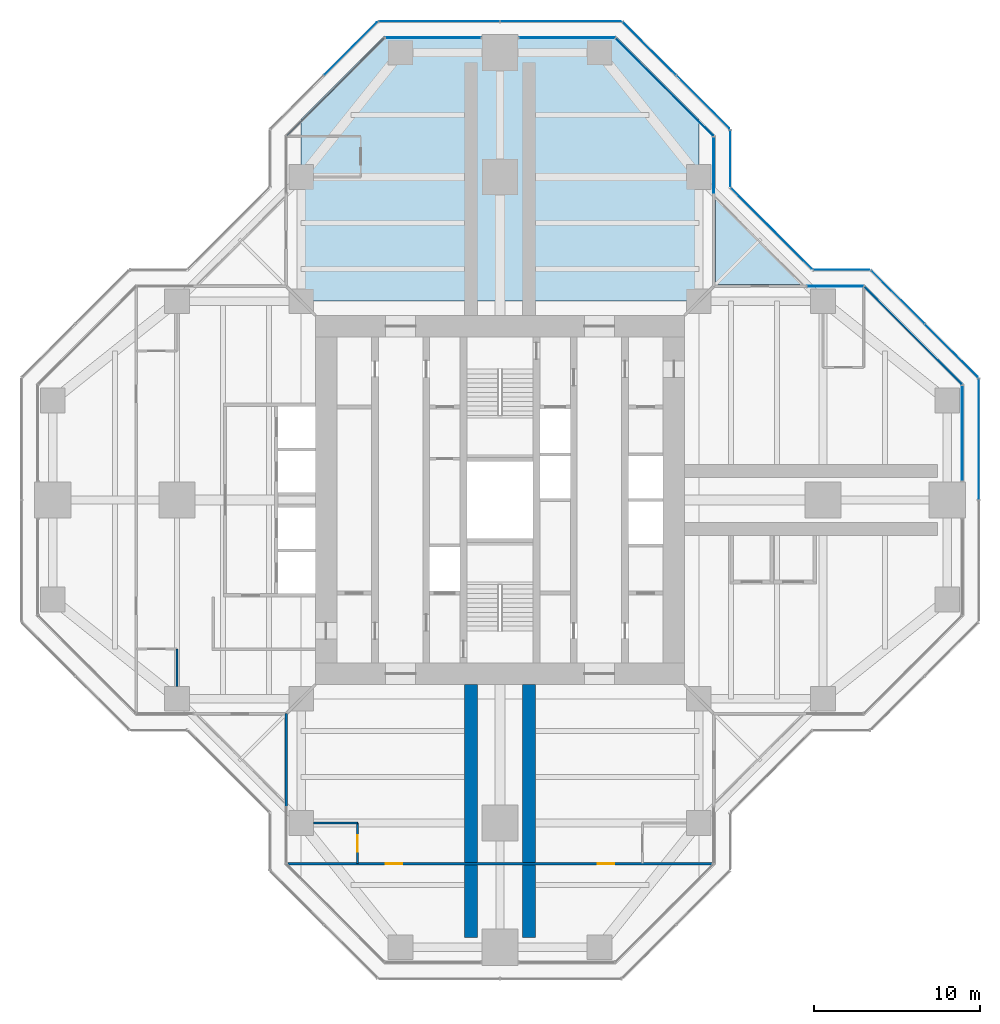
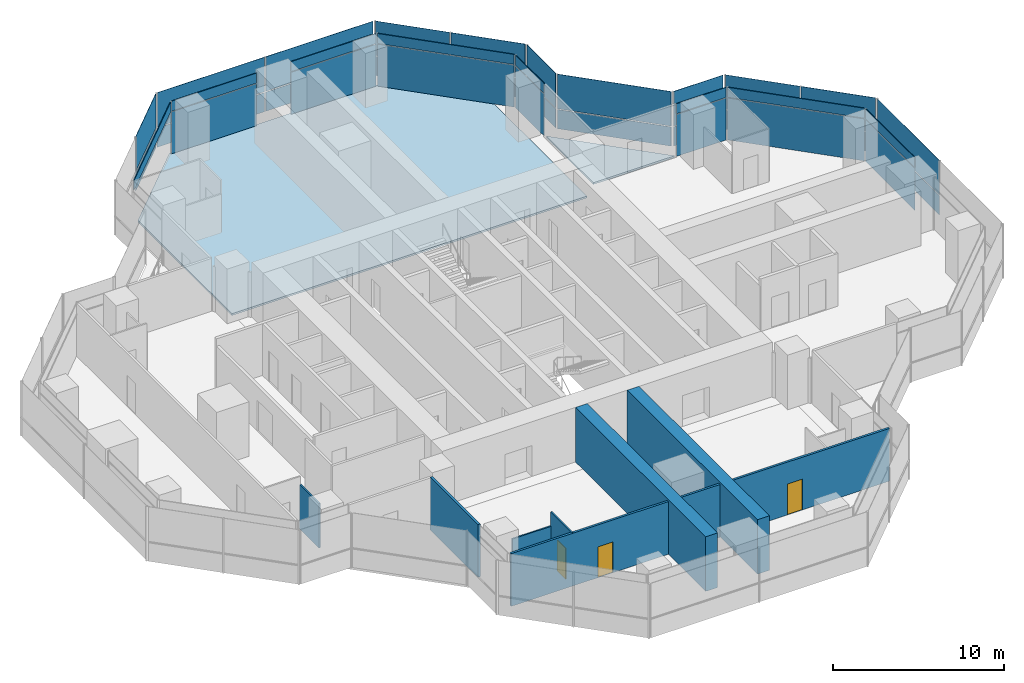
# One storey, part 12 of 17: 37 plates, 7 walls, 3 doors, 2 slabs, 3 openings, 16 elements without a shape of their own.
"""IFC4 building model written with IfcOpenShell, lengths in metres."""

from ifc_helpers import new_model, si_unit, direction, frame, frame_2d, origin, origin_2d, place, context, subcontext, project, spatial, polyline, rectangle, outline, extrude, material, layer, layer_set, type_object, element, fill, aggregate, save


model = new_model("IFC4")

# Units and contexts
model_context = context("Model", 3, precision=1e-05, world=origin(), true_north=direction((0.0, 1.0)))
body_context = subcontext(model_context, "Body", "Model", "MODEL_VIEW")
ifc_project = project(units=[si_unit("LENGTHUNIT", "METRE"), si_unit("AREAUNIT", "SQUARE_METRE"), si_unit("VOLUMEUNIT", "CUBIC_METRE"), si_unit("PLANEANGLEUNIT", "RADIAN"), si_unit("MASSUNIT", "GRAM", prefix="KILO")], contexts=[model_context])

# Site, building, storey
site_placement = place(None, origin())
site = spatial("IfcSite", under=ifc_project, at=site_placement, CompositionType="ELEMENT")
building_placement = place(site_placement, origin())
building = spatial("IfcBuilding", under=site, at=building_placement, Name="Mizan Broadcast Tower", CompositionType="ELEMENT")
storey_placement = place(building_placement, frame((0.0, 0.0, 240.0)))
storey = spatial("IfcBuildingStorey", under=building, at=storey_placement, Name="L56", CompositionType="ELEMENT", Elevation=240.0)

# Slab
ifc_material_1 = material(Name="Concrete C32/40", Category="concrete")
ifc_layer_1 = layer(ifc_material_1, 0.1298828125)
ifc_layer_set_1 = layer_set([ifc_layer_1], Name="Concrete C32/40")
slab_type_1 = type_object("IfcSlabType", Name="COMPOSITE DECK SLAB 130", PredefinedType="FLOOR", material=ifc_layer_set_1)
slab_1_placement = place(storey_placement, frame((0.0, 0.0, -0.1298828125)))
element("IfcSlab", 1, at=slab_1_placement, inside=storey, type_object=slab_type_1, Name="Floor slab L56 north arm", PredefinedType="FLOOR", context=body_context, shape_type="SweptSolid", body=[
    extrude(outline(polyline([(-7.0, 28.0), (-12.0, 23.0), (-12.0, 12.0), (12.0, 12.0), (12.0, 23.0), (7.0, 28.0), (-7.0, 28.0)])), origin(), (0.0, 0.0, 1.0), 0.1298828125),
])

# Curtain wall, plate
ifc_material_2 = material(Name="Aluminium framed glazing", Category="aluminium")
curtain_wall_type_1 = type_object("IfcCurtainWallType", Name="INNER SKIN HIGH ZONE", PredefinedType="USERDEFINED", material=ifc_material_2)
curtain_wall_1_placement = place(storey_placement, origin())
curtain_wall_1 = element("IfcCurtainWall", 2, at=curtain_wall_1_placement, inside=storey, type_object=curtain_wall_type_1, Name="Inner skin high zone L56 E end", ObjectType="INNER SKIN HIGH ZONE", PredefinedType="USERDEFINED")
ifc_material_3 = material(Name="Double glazing, clear low-e", Category="glass")
ifc_layer_2 = layer(ifc_material_3, 0.028076171875)
ifc_layer_set_2 = layer_set([ifc_layer_2], Name="Double glazing, clear low-e")
plate_type_1 = type_object("IfcPlateType", Name="INNER SKIN GLAZING UNIT", PredefinedType="CURTAIN_PANEL", material=ifc_layer_set_2)
plate_1_placement = place(storey_placement, frame((27.89990234375, 4.029296875, 0.0), z_axis=(0.0, 0.0, 1.0), x_axis=(0.0, 1.0, 0.0)))
plate_1 = element("IfcPlate", 3, at=plate_1_placement, type_object=plate_type_1, Name="Inner skin high zone L56 E end panel 1.1", PredefinedType="CURTAIN_PANEL", context=body_context, shape_type="SweptSolid", body=[
    extrude(rectangle(XDim=5.738525390625, YDim=0.028076171875, at=origin_2d()), origin(), (0.0, 0.0, 1.0), 3.0),
])

curtain_wall_2_placement = place(storey_placement, origin())
curtain_wall_2 = element("IfcCurtainWall", 4, at=curtain_wall_2_placement, inside=storey, type_object=curtain_wall_type_1, Name="Inner skin high zone L56 E chamfer", ObjectType="INNER SKIN HIGH ZONE", PredefinedType="USERDEFINED")
plate_2_placement = place(storey_placement, frame((24.92919921875, 9.92919921875, 0.0), z_axis=(0.0, 0.0, 1.0), x_axis=(-0.707106781187, 0.707106781187, 0.0)))
plate_2 = element("IfcPlate", 5, at=plate_2_placement, type_object=plate_type_1, Name="Inner skin high zone L56 E chamfer panel 1.1", PredefinedType="CURTAIN_PANEL", context=body_context, shape_type="SweptSolid", body=[
    extrude(rectangle(XDim=8.282470703125, YDim=0.028076171875, at=origin_2d()), origin(), (0.0, 0.0, 1.0), 3.0),
])

curtain_wall_3_placement = place(storey_placement, origin())
curtain_wall_3 = element("IfcCurtainWall", 6, at=curtain_wall_3_placement, inside=storey, type_object=curtain_wall_type_1, Name="Inner skin high zone L56 E side", ObjectType="INNER SKIN HIGH ZONE", PredefinedType="USERDEFINED")
plate_3_placement = place(storey_placement, frame((20.229248046875, 12.89990234375, 0.0), z_axis=(0.0, 0.0, 1.0), x_axis=(-1.0, 0.0, 0.0)))
plate_3 = element("IfcPlate", 7, at=plate_3_placement, type_object=plate_type_1, Name="Inner skin high zone L56 E side panel 1.1", PredefinedType="CURTAIN_PANEL", context=body_context, shape_type="SweptSolid", body=[
    extrude(rectangle(XDim=3.338623046875, YDim=0.028076171875, at=origin_2d()), origin(), (0.0, 0.0, 1.0), 3.0),
])

curtain_wall_4_placement = place(storey_placement, origin())
curtain_wall_4 = element("IfcCurtainWall", 8, at=curtain_wall_4_placement, inside=storey, type_object=curtain_wall_type_1, Name="Inner skin high zone L56 N side", ObjectType="INNER SKIN HIGH ZONE", PredefinedType="USERDEFINED")
plate_4_placement = place(storey_placement, frame((12.89990234375, 20.229248046875, 0.0), z_axis=(0.0, 0.0, 1.0), x_axis=(0.0, 1.0, 0.0)))
plate_4 = element("IfcPlate", 9, at=plate_4_placement, type_object=plate_type_1, Name="Inner skin high zone L56 N side panel 1.1", PredefinedType="CURTAIN_PANEL", context=body_context, shape_type="SweptSolid", body=[
    extrude(rectangle(XDim=3.338623046875, YDim=0.028076171875, at=origin_2d()), origin(), (0.0, 0.0, 1.0), 3.0),
])

curtain_wall_5_placement = place(storey_placement, origin())
curtain_wall_5 = element("IfcCurtainWall", 10, at=curtain_wall_5_placement, inside=storey, type_object=curtain_wall_type_1, Name="Inner skin high zone L56 N chamfer", ObjectType="INNER SKIN HIGH ZONE", PredefinedType="USERDEFINED")
plate_5_placement = place(storey_placement, frame((9.92919921875, 24.92919921875, 0.0), z_axis=(0.0, 0.0, 1.0), x_axis=(-0.707106781187, 0.707106781187, 0.0)))
plate_5 = element("IfcPlate", 11, at=plate_5_placement, type_object=plate_type_1, Name="Inner skin high zone L56 N chamfer panel 1.1", PredefinedType="CURTAIN_PANEL", context=body_context, shape_type="SweptSolid", body=[
    extrude(rectangle(XDim=8.282470703125, YDim=0.028076171875, at=origin_2d()), origin(), (0.0, 0.0, 1.0), 3.0),
])

curtain_wall_6_placement = place(storey_placement, origin())
curtain_wall_6 = element("IfcCurtainWall", 12, at=curtain_wall_6_placement, inside=storey, type_object=curtain_wall_type_1, Name="Inner skin high zone L56 N end", ObjectType="INNER SKIN HIGH ZONE", PredefinedType="USERDEFINED")
plate_6_placement = place(storey_placement, frame((4.029296875, 27.89990234375, 0.0), z_axis=(0.0, 0.0, 1.0), x_axis=(-1.0, 0.0, 0.0)))
plate_6 = element("IfcPlate", 13, at=plate_6_placement, type_object=plate_type_1, Name="Inner skin high zone L56 N end panel 1.1", PredefinedType="CURTAIN_PANEL", context=body_context, shape_type="SweptSolid", body=[
    extrude(rectangle(XDim=5.738525390625, YDim=0.028076171875, at=origin_2d()), origin(), (0.0, 0.0, 1.0), 3.0),
])

curtain_wall_7_placement = place(storey_placement, origin())
curtain_wall_7 = element("IfcCurtainWall", 14, at=curtain_wall_7_placement, inside=storey, type_object=curtain_wall_type_1, Name="Inner skin high zone L56 N end", ObjectType="INNER SKIN HIGH ZONE", PredefinedType="USERDEFINED")
plate_7_placement = place(storey_placement, frame((-4.029296875, 27.89990234375, 0.0), z_axis=(0.0, 0.0, 1.0), x_axis=(-1.0, 0.0, 0.0)))
plate_7 = element("IfcPlate", 15, at=plate_7_placement, type_object=plate_type_1, Name="Inner skin high zone L56 N end panel 1.1", PredefinedType="CURTAIN_PANEL", context=body_context, shape_type="SweptSolid", body=[
    extrude(rectangle(XDim=5.738525390625, YDim=0.028076171875, at=origin_2d()), origin(), (0.0, 0.0, 1.0), 3.0),
])

# Plate
ifc_material_4 = material(Name="Insulated aluminium spandrel panel, pale anodised", Category="aluminium")
ifc_layer_3 = layer(ifc_material_4, 0.050048828125)
ifc_layer_set_3 = layer_set([ifc_layer_3], Name="Insulated aluminium spandrel panel, pale anodised")
plate_type_2 = type_object("IfcPlateType", Name="INNER SKIN SPANDREL PANEL", PredefinedType="CURTAIN_PANEL", material=ifc_layer_set_3)
plate_8_placement = place(storey_placement, frame((27.89990234375, 4.029296875, 3.06005859375), z_axis=(0.0, 0.0, 1.0), x_axis=(0.0, 1.0, 0.0)))
plate_8 = element("IfcPlate", 16, at=plate_8_placement, type_object=plate_type_2, Name="Inner skin high zone L56 E end panel 1.2", PredefinedType="CURTAIN_PANEL", context=body_context, shape_type="SweptSolid", body=[
    extrude(rectangle(XDim=5.738525390625, YDim=0.050048828125, at=origin_2d()), origin(), (0.0, 0.0, 1.0), 0.7099609375),
])

aggregate(curtain_wall_1, [plate_1, plate_8])

plate_9_placement = place(storey_placement, frame((24.92919921875, 9.92919921875, 3.06005859375), z_axis=(0.0, 0.0, 1.0), x_axis=(-0.707106781187, 0.707106781187, 0.0)))
plate_9 = element("IfcPlate", 17, at=plate_9_placement, type_object=plate_type_2, Name="Inner skin high zone L56 E chamfer panel 1.2", PredefinedType="CURTAIN_PANEL", context=body_context, shape_type="SweptSolid", body=[
    extrude(rectangle(XDim=8.282470703125, YDim=0.050048828125, at=origin_2d()), origin(), (0.0, 0.0, 1.0), 0.7099609375),
])

aggregate(curtain_wall_2, [plate_2, plate_9])

plate_10_placement = place(storey_placement, frame((20.229248046875, 12.89990234375, 3.06005859375), z_axis=(0.0, 0.0, 1.0), x_axis=(-1.0, 0.0, 0.0)))
plate_10 = element("IfcPlate", 18, at=plate_10_placement, type_object=plate_type_2, Name="Inner skin high zone L56 E side panel 1.2", PredefinedType="CURTAIN_PANEL", context=body_context, shape_type="SweptSolid", body=[
    extrude(rectangle(XDim=3.338623046875, YDim=0.050048828125, at=origin_2d()), origin(), (0.0, 0.0, 1.0), 0.7099609375),
])

aggregate(curtain_wall_3, [plate_3, plate_10])

plate_11_placement = place(storey_placement, frame((12.89990234375, 20.229248046875, 3.06005859375), z_axis=(0.0, 0.0, 1.0), x_axis=(0.0, 1.0, 0.0)))
plate_11 = element("IfcPlate", 19, at=plate_11_placement, type_object=plate_type_2, Name="Inner skin high zone L56 N side panel 1.2", PredefinedType="CURTAIN_PANEL", context=body_context, shape_type="SweptSolid", body=[
    extrude(rectangle(XDim=3.338623046875, YDim=0.050048828125, at=origin_2d()), origin(), (0.0, 0.0, 1.0), 0.7099609375),
])

aggregate(curtain_wall_4, [plate_4, plate_11])

plate_12_placement = place(storey_placement, frame((9.92919921875, 24.92919921875, 3.06005859375), z_axis=(0.0, 0.0, 1.0), x_axis=(-0.707106781187, 0.707106781187, 0.0)))
plate_12 = element("IfcPlate", 20, at=plate_12_placement, type_object=plate_type_2, Name="Inner skin high zone L56 N chamfer panel 1.2", PredefinedType="CURTAIN_PANEL", context=body_context, shape_type="SweptSolid", body=[
    extrude(rectangle(XDim=8.282470703125, YDim=0.050048828125, at=origin_2d()), origin(), (0.0, 0.0, 1.0), 0.7099609375),
])

aggregate(curtain_wall_5, [plate_5, plate_12])

plate_13_placement = place(storey_placement, frame((4.029296875, 27.89990234375, 3.06005859375), z_axis=(0.0, 0.0, 1.0), x_axis=(-1.0, 0.0, 0.0)))
plate_13 = element("IfcPlate", 21, at=plate_13_placement, type_object=plate_type_2, Name="Inner skin high zone L56 N end panel 1.2", PredefinedType="CURTAIN_PANEL", context=body_context, shape_type="SweptSolid", body=[
    extrude(rectangle(XDim=5.738525390625, YDim=0.050048828125, at=origin_2d()), origin(), (0.0, 0.0, 1.0), 0.7099609375),
])

aggregate(curtain_wall_6, [plate_6, plate_13])

plate_14_placement = place(storey_placement, frame((-4.029296875, 27.89990234375, 3.06005859375), z_axis=(0.0, 0.0, 1.0), x_axis=(-1.0, 0.0, 0.0)))
plate_14 = element("IfcPlate", 22, at=plate_14_placement, type_object=plate_type_2, Name="Inner skin high zone L56 N end panel 1.2", PredefinedType="CURTAIN_PANEL", context=body_context, shape_type="SweptSolid", body=[
    extrude(rectangle(XDim=5.738525390625, YDim=0.050048828125, at=origin_2d()), origin(), (0.0, 0.0, 1.0), 0.7099609375),
])

aggregate(curtain_wall_7, [plate_7, plate_14])

# Curtain wall, plate
curtain_wall_8_placement = place(storey_placement, origin())
curtain_wall_8 = element("IfcCurtainWall", 23, at=curtain_wall_8_placement, inside=storey, type_object=curtain_wall_type_1, Name="Inner skin high zone L56 N chamfer", ObjectType="INNER SKIN HIGH ZONE", PredefinedType="USERDEFINED")
plate_15_placement = place(storey_placement, frame((-9.92919921875, 24.92919921875, 3.06005859375), z_axis=(0.0, 0.0, 1.0), x_axis=(-0.707106781187, -0.707106781187, 0.0)))
plate_15 = element("IfcPlate", 24, at=plate_15_placement, type_object=plate_type_2, Name="Inner skin high zone L56 N chamfer panel 1.2", PredefinedType="CURTAIN_PANEL", context=body_context, shape_type="SweptSolid", body=[
    extrude(rectangle(XDim=8.282470703125, YDim=0.050048828125, at=origin_2d()), origin(), (0.0, 0.0, 1.0), 0.7099609375),
])
aggregate(curtain_wall_8, [plate_15])

# Curtain wall, plates
ifc_material_5 = material(Name="Aluminium framed glazing", Category="aluminium")
curtain_wall_type_2 = type_object("IfcCurtainWallType", Name="OUTER SKIN", PredefinedType="USERDEFINED", material=ifc_material_5)
curtain_wall_9_placement = place(storey_placement, origin())
curtain_wall_9 = element("IfcCurtainWall", 25, at=curtain_wall_9_placement, inside=storey, type_object=curtain_wall_type_2, Name="Outer skin L56 E chamfer", ObjectType="OUTER SKIN", PredefinedType="USERDEFINED")
ifc_material_6 = material(Name="Laminated clear glass", Category="glass")
ifc_layer_4 = layer(ifc_material_6, 0.02001953125)
ifc_layer_set_4 = layer_set([ifc_layer_4], Name="Laminated clear glass")
plate_type_3 = type_object("IfcPlateType", Name="OUTER SKIN CLEAR GLASS", PredefinedType="CURTAIN_PANEL", material=ifc_layer_set_4)
plate_16_placement = place(storey_placement, frame((27.254150390625, 9.018798828125, 0.0), z_axis=(0.0, 0.0, 1.0), x_axis=(-0.707106781187, 0.707106781187, 0.0)))
plate_16 = element("IfcPlate", 26, at=plate_16_placement, type_object=plate_type_3, Name="Outer skin L56 E chamfer panel 1.1", PredefinedType="CURTAIN_PANEL", context=body_context, shape_type="SweptSolid", body=[
    extrude(rectangle(XDim=4.495361328125, YDim=0.02001953125, at=origin_2d()), origin(), (0.0, 0.0, 1.0), 1.3701171875),
])
plate_17_placement = place(storey_placement, frame((27.254150390625, 9.018798828125, 1.43017578125), z_axis=(0.0, 0.0, 1.0), x_axis=(-0.707106781187, 0.707106781187, 0.0)))
plate_17 = element("IfcPlate", 27, at=plate_17_placement, type_object=plate_type_3, Name="Outer skin L56 E chamfer panel 1.2", PredefinedType="CURTAIN_PANEL", context=body_context, shape_type="SweptSolid", body=[
    extrude(rectangle(XDim=4.495361328125, YDim=0.02001953125, at=origin_2d()), origin(), (0.0, 0.0, 1.0), 2.469970703125),
])

curtain_wall_10_placement = place(storey_placement, origin())
curtain_wall_10 = element("IfcCurtainWall", 28, at=curtain_wall_10_placement, inside=storey, type_object=curtain_wall_type_2, Name="Outer skin L56 E side", ObjectType="OUTER SKIN", PredefinedType="USERDEFINED")
plate_18_placement = place(storey_placement, frame((20.622802734375, 13.89990234375, 0.0), z_axis=(0.0, 0.0, 1.0), x_axis=(-1.0, 0.0, 0.0)))
plate_18 = element("IfcPlate", 29, at=plate_18_placement, type_object=plate_type_3, Name="Outer skin L56 E side panel 1.1", PredefinedType="CURTAIN_PANEL", context=body_context, shape_type="SweptSolid", body=[
    extrude(rectangle(XDim=3.340087890625, YDim=0.02001953125, at=origin_2d()), origin(), (0.0, 0.0, 1.0), 1.3701171875),
])
plate_19_placement = place(storey_placement, frame((20.622802734375, 13.89990234375, 1.43017578125), z_axis=(0.0, 0.0, 1.0), x_axis=(-1.0, 0.0, 0.0)))
plate_19 = element("IfcPlate", 30, at=plate_19_placement, type_object=plate_type_3, Name="Outer skin L56 E side panel 1.2", PredefinedType="CURTAIN_PANEL", context=body_context, shape_type="SweptSolid", body=[
    extrude(rectangle(XDim=3.340087890625, YDim=0.02001953125, at=origin_2d()), origin(), (0.0, 0.0, 1.0), 2.469970703125),
])
aggregate(curtain_wall_10, [plate_18, plate_19])

curtain_wall_11_placement = place(storey_placement, origin())
curtain_wall_11 = element("IfcCurtainWall", 31, at=curtain_wall_11_placement, inside=storey, type_object=curtain_wall_type_2, Name="Outer skin L56 E chamfer", ObjectType="OUTER SKIN", PredefinedType="USERDEFINED")
plate_20_placement = place(storey_placement, frame((16.386474609375, 16.386474609375, 0.0), z_axis=(0.0, 0.0, 1.0), x_axis=(-0.707106781187, 0.707106781187, 0.0)))
plate_20 = element("IfcPlate", 32, at=plate_20_placement, type_object=plate_type_3, Name="Outer skin L56 E chamfer panel 1.1", PredefinedType="CURTAIN_PANEL", context=body_context, shape_type="SweptSolid", body=[
    extrude(rectangle(XDim=6.87255859375, YDim=0.02001953125, at=origin_2d()), origin(), (0.0, 0.0, 1.0), 1.3701171875),
])
plate_21_placement = place(storey_placement, frame((16.386474609375, 16.386474609375, 1.43017578125), z_axis=(0.0, 0.0, 1.0), x_axis=(-0.707106781187, 0.707106781187, 0.0)))
plate_21 = element("IfcPlate", 33, at=plate_21_placement, type_object=plate_type_3, Name="Outer skin L56 E chamfer panel 1.2", PredefinedType="CURTAIN_PANEL", context=body_context, shape_type="SweptSolid", body=[
    extrude(rectangle(XDim=6.87255859375, YDim=0.02001953125, at=origin_2d()), origin(), (0.0, 0.0, 1.0), 2.469970703125),
])
aggregate(curtain_wall_11, [plate_20, plate_21])

curtain_wall_12_placement = place(storey_placement, origin())
curtain_wall_12 = element("IfcCurtainWall", 34, at=curtain_wall_12_placement, inside=storey, type_object=curtain_wall_type_2, Name="Outer skin L56 N side", ObjectType="OUTER SKIN", PredefinedType="USERDEFINED")
plate_22_placement = place(storey_placement, frame((13.89990234375, 20.622802734375, 0.0), z_axis=(0.0, 0.0, 1.0), x_axis=(0.0, 1.0, 0.0)))
plate_22 = element("IfcPlate", 35, at=plate_22_placement, type_object=plate_type_3, Name="Outer skin L56 N side panel 1.1", PredefinedType="CURTAIN_PANEL", context=body_context, shape_type="SweptSolid", body=[
    extrude(rectangle(XDim=3.340087890625, YDim=0.02001953125, at=origin_2d()), origin(), (0.0, 0.0, 1.0), 1.3701171875),
])
plate_23_placement = place(storey_placement, frame((13.89990234375, 20.622802734375, 1.43017578125), z_axis=(0.0, 0.0, 1.0), x_axis=(0.0, 1.0, 0.0)))
plate_23 = element("IfcPlate", 36, at=plate_23_placement, type_object=plate_type_3, Name="Outer skin L56 N side panel 1.2", PredefinedType="CURTAIN_PANEL", context=body_context, shape_type="SweptSolid", body=[
    extrude(rectangle(XDim=3.340087890625, YDim=0.02001953125, at=origin_2d()), origin(), (0.0, 0.0, 1.0), 2.469970703125),
])
aggregate(curtain_wall_12, [plate_22, plate_23])

curtain_wall_13_placement = place(storey_placement, origin())
curtain_wall_13 = element("IfcCurtainWall", 37, at=curtain_wall_13_placement, inside=storey, type_object=curtain_wall_type_2, Name="Outer skin L56 N chamfer", ObjectType="OUTER SKIN", PredefinedType="USERDEFINED")
plate_24_placement = place(storey_placement, frame((12.254150390625, 24.018798828125, 0.0), z_axis=(0.0, 0.0, 1.0), x_axis=(-0.707106781187, 0.707106781187, 0.0)))
plate_24 = element("IfcPlate", 38, at=plate_24_placement, type_object=plate_type_3, Name="Outer skin L56 N chamfer panel 1.1", PredefinedType="CURTAIN_PANEL", context=body_context, shape_type="SweptSolid", body=[
    extrude(rectangle(XDim=4.495361328125, YDim=0.02001953125, at=origin_2d()), origin(), (0.0, 0.0, 1.0), 1.3701171875),
])
plate_25_placement = place(storey_placement, frame((12.254150390625, 24.018798828125, 1.43017578125), z_axis=(0.0, 0.0, 1.0), x_axis=(-0.707106781187, 0.707106781187, 0.0)))
plate_25 = element("IfcPlate", 39, at=plate_25_placement, type_object=plate_type_3, Name="Outer skin L56 N chamfer panel 1.2", PredefinedType="CURTAIN_PANEL", context=body_context, shape_type="SweptSolid", body=[
    extrude(rectangle(XDim=4.495361328125, YDim=0.02001953125, at=origin_2d()), origin(), (0.0, 0.0, 1.0), 2.469970703125),
])

curtain_wall_14_placement = place(storey_placement, origin())
curtain_wall_14 = element("IfcCurtainWall", 40, at=curtain_wall_14_placement, inside=storey, type_object=curtain_wall_type_2, Name="Outer skin L56 N end", ObjectType="OUTER SKIN", PredefinedType="USERDEFINED")
plate_26_placement = place(storey_placement, frame((3.66650390625, 28.89990234375, 0.0), z_axis=(0.0, 0.0, 1.0), x_axis=(-1.0, 0.0, 0.0)))
plate_26 = element("IfcPlate", 41, at=plate_26_placement, type_object=plate_type_3, Name="Outer skin L56 N end panel 1.1", PredefinedType="CURTAIN_PANEL", context=body_context, shape_type="SweptSolid", body=[
    extrude(rectangle(XDim=7.252685546875, YDim=0.02001953125, at=origin_2d()), origin(), (0.0, 0.0, 1.0), 1.3701171875),
])
plate_27_placement = place(storey_placement, frame((3.66650390625, 28.89990234375, 1.43017578125), z_axis=(0.0, 0.0, 1.0), x_axis=(-1.0, 0.0, 0.0)))
plate_27 = element("IfcPlate", 42, at=plate_27_placement, type_object=plate_type_3, Name="Outer skin L56 N end panel 1.2", PredefinedType="CURTAIN_PANEL", context=body_context, shape_type="SweptSolid", body=[
    extrude(rectangle(XDim=7.252685546875, YDim=0.02001953125, at=origin_2d()), origin(), (0.0, 0.0, 1.0), 2.469970703125),
])
plate_28_placement = place(storey_placement, frame((-3.66650390625, 28.89990234375, 0.0), z_axis=(0.0, 0.0, 1.0), x_axis=(-1.0, 0.0, 0.0)))
plate_28 = element("IfcPlate", 43, at=plate_28_placement, type_object=plate_type_3, Name="Outer skin L56 N end panel 2.1", PredefinedType="CURTAIN_PANEL", context=body_context, shape_type="SweptSolid", body=[
    extrude(rectangle(XDim=7.252685546875, YDim=0.02001953125, at=origin_2d()), origin(), (0.0, 0.0, 1.0), 1.3701171875),
])
plate_29_placement = place(storey_placement, frame((-3.66650390625, 28.89990234375, 1.43017578125), z_axis=(0.0, 0.0, 1.0), x_axis=(-1.0, 0.0, 0.0)))
plate_29 = element("IfcPlate", 44, at=plate_29_placement, type_object=plate_type_3, Name="Outer skin L56 N end panel 2.2", PredefinedType="CURTAIN_PANEL", context=body_context, shape_type="SweptSolid", body=[
    extrude(rectangle(XDim=7.252685546875, YDim=0.02001953125, at=origin_2d()), origin(), (0.0, 0.0, 1.0), 2.469970703125),
])
aggregate(curtain_wall_14, [plate_26, plate_27, plate_28, plate_29])

curtain_wall_15_placement = place(storey_placement, origin())
curtain_wall_15 = element("IfcCurtainWall", 45, at=curtain_wall_15_placement, inside=storey, type_object=curtain_wall_type_2, Name="Outer skin L56 N chamfer", ObjectType="OUTER SKIN", PredefinedType="USERDEFINED")
plate_30_placement = place(storey_placement, frame((-9.018798828125, 27.254150390625, 0.0), z_axis=(0.0, 0.0, 1.0), x_axis=(-0.707106781187, -0.707106781187, 0.0)))
plate_30 = element("IfcPlate", 46, at=plate_30_placement, type_object=plate_type_3, Name="Outer skin L56 N chamfer panel 1.1", PredefinedType="CURTAIN_PANEL", context=body_context, shape_type="SweptSolid", body=[
    extrude(rectangle(XDim=4.495361328125, YDim=0.02001953125, at=origin_2d()), origin(), (0.0, 0.0, 1.0), 1.3701171875),
])
plate_31_placement = place(storey_placement, frame((-9.018798828125, 27.254150390625, 1.43017578125), z_axis=(0.0, 0.0, 1.0), x_axis=(-0.707106781187, -0.707106781187, 0.0)))
plate_31 = element("IfcPlate", 47, at=plate_31_placement, type_object=plate_type_3, Name="Outer skin L56 N chamfer panel 1.2", PredefinedType="CURTAIN_PANEL", context=body_context, shape_type="SweptSolid", body=[
    extrude(rectangle(XDim=4.495361328125, YDim=0.02001953125, at=origin_2d()), origin(), (0.0, 0.0, 1.0), 2.469970703125),
])
aggregate(curtain_wall_15, [plate_30, plate_31])

curtain_wall_16_placement = place(storey_placement, origin())
curtain_wall_16 = element("IfcCurtainWall", 48, at=curtain_wall_16_placement, inside=storey, type_object=curtain_wall_type_2, Name="Outer skin L56 E end", ObjectType="OUTER SKIN", PredefinedType="USERDEFINED")
ifc_material_7 = material(Name="Perforated aluminium, pale anodised", Category="aluminium")
ifc_layer_5 = layer(ifc_material_7, 0.011962890625)
ifc_layer_set_5 = layer_set([ifc_layer_5], Name="Perforated aluminium, pale anodised")
plate_type_4 = type_object("IfcPlateType", Name="OUTER SKIN PERFORATED SCREEN", PredefinedType="USERDEFINED", material=ifc_layer_set_5)
plate_32_placement = place(storey_placement, frame((28.89990234375, 3.66650390625, 0.0), z_axis=(0.0, 0.0, 1.0), x_axis=(0.0, 1.0, 0.0)))
plate_32 = element("IfcPlate", 49, at=plate_32_placement, type_object=plate_type_4, Name="Outer skin L56 E end panel 2.1", ObjectType="SCREEN", PredefinedType="USERDEFINED", context=body_context, shape_type="SweptSolid", body=[
    extrude(rectangle(XDim=7.252685546875, YDim=0.011962890625, at=origin_2d()), origin(), (0.0, 0.0, 1.0), 1.3701171875),
])
plate_33_placement = place(storey_placement, frame((28.89990234375, 3.66650390625, 1.43017578125), z_axis=(0.0, 0.0, 1.0), x_axis=(0.0, 1.0, 0.0)))
plate_33 = element("IfcPlate", 50, at=plate_33_placement, type_object=plate_type_4, Name="Outer skin L56 E end panel 2.2", ObjectType="SCREEN", PredefinedType="USERDEFINED", context=body_context, shape_type="SweptSolid", body=[
    extrude(rectangle(XDim=7.252685546875, YDim=0.011962890625, at=origin_2d()), origin(), (0.0, 0.0, 1.0), 2.469970703125),
])
aggregate(curtain_wall_16, [plate_32, plate_33])

# Plate
plate_34_placement = place(storey_placement, frame((24.018798828125, 12.254150390625, 0.0), z_axis=(0.0, 0.0, 1.0), x_axis=(-0.707106781187, 0.707106781187, 0.0)))
plate_34 = element("IfcPlate", 51, at=plate_34_placement, type_object=plate_type_4, Name="Outer skin L56 E chamfer panel 2.1", ObjectType="SCREEN", PredefinedType="USERDEFINED", context=body_context, shape_type="SweptSolid", body=[
    extrude(rectangle(XDim=4.495361328125, YDim=0.011962890625, at=origin_2d()), origin(), (0.0, 0.0, 1.0), 1.3701171875),
])

plate_35_placement = place(storey_placement, frame((24.018798828125, 12.254150390625, 1.43017578125), z_axis=(0.0, 0.0, 1.0), x_axis=(-0.707106781187, 0.707106781187, 0.0)))
plate_35 = element("IfcPlate", 52, at=plate_35_placement, type_object=plate_type_4, Name="Outer skin L56 E chamfer panel 2.2", ObjectType="SCREEN", PredefinedType="USERDEFINED", context=body_context, shape_type="SweptSolid", body=[
    extrude(rectangle(XDim=4.495361328125, YDim=0.011962890625, at=origin_2d()), origin(), (0.0, 0.0, 1.0), 2.469970703125),
])

aggregate(curtain_wall_9, [plate_16, plate_17, plate_34, plate_35])

plate_36_placement = place(storey_placement, frame((9.018798828125, 27.254150390625, 0.0), z_axis=(0.0, 0.0, 1.0), x_axis=(-0.707106781187, 0.707106781187, 0.0)))
plate_36 = element("IfcPlate", 53, at=plate_36_placement, type_object=plate_type_4, Name="Outer skin L56 N chamfer panel 2.1", ObjectType="SCREEN", PredefinedType="USERDEFINED", context=body_context, shape_type="SweptSolid", body=[
    extrude(rectangle(XDim=4.495361328125, YDim=0.011962890625, at=origin_2d()), origin(), (0.0, 0.0, 1.0), 1.3701171875),
])

plate_37_placement = place(storey_placement, frame((9.018798828125, 27.254150390625, 1.43017578125), z_axis=(0.0, 0.0, 1.0), x_axis=(-0.707106781187, 0.707106781187, 0.0)))
plate_37 = element("IfcPlate", 54, at=plate_37_placement, type_object=plate_type_4, Name="Outer skin L56 N chamfer panel 2.2", ObjectType="SCREEN", PredefinedType="USERDEFINED", context=body_context, shape_type="SweptSolid", body=[
    extrude(rectangle(XDim=4.495361328125, YDim=0.011962890625, at=origin_2d()), origin(), (0.0, 0.0, 1.0), 2.469970703125),
])

aggregate(curtain_wall_13, [plate_24, plate_25, plate_36, plate_37])

# Slab
ifc_material_8 = material(Name="Concrete C32/40", Category="concrete")
ifc_layer_6 = layer(ifc_material_8, 0.1298828125)
ifc_layer_set_6 = layer_set([ifc_layer_6], Name="Concrete C32/40")
slab_type_2 = type_object("IfcSlabType", Name="WINTER GARDEN SLAB 130", PredefinedType="FLOOR", material=ifc_layer_set_6)
slab_2_placement = place(storey_placement, frame((0.0, 0.0, -0.1298828125)))
element("IfcSlab", 55, at=slab_2_placement, inside=storey, type_object=slab_type_2, Name="Winter garden slab L56 E", PredefinedType="FLOOR", context=body_context, shape_type="SweptSolid", body=[
    extrude(outline(polyline([(13.0, 13.0), (18.5, 13.0), (13.0, 18.5), (13.0, 13.0)])), origin(), (0.0, 0.0, 1.0), 0.1298828125),
])

# Wall
ifc_material_9 = material(Name="Aluminium framed glazed screen", Category="aluminium")
ifc_layer_7 = layer(ifc_material_9, 0.159912109375)
ifc_layer_set_7 = layer_set([ifc_layer_7], Name="Aluminium framed glazed screen")
wall_type_1 = type_object("IfcWallType", Name="GLAZED SCREEN WALL 160", PredefinedType="SOLIDWALL", material=ifc_layer_set_7)
wall_1_placement = place(storey_placement, frame((-12.89990234375, -12.89990234375, 0.0), z_axis=(0.0, 0.0, 1.0), x_axis=(0.0, -1.0, 0.0)))
element("IfcWall", 56, at=wall_1_placement, inside=storey, type_object=wall_type_1, Name="Winter garden screen L56 S", PredefinedType="SOLIDWALL", context=body_context, shape_type="SweptSolid", body=[
    extrude(rectangle(XDim=5.60009765625, YDim=0.159912109375, at=frame_2d((2.800048828125, 0.0))), origin(), (0.0, 0.0, 1.0), 3.77001953125),
])

# Wall, openings, doors
ifc_material_10 = material(Name="Gypsum board on steel studs", Category="steel")
ifc_layer_8 = layer(ifc_material_10, 0.14990234375)
ifc_layer_set_8 = layer_set([ifc_layer_8], Name="Gypsum board on steel studs")
wall_type_2 = type_object("IfcWallType", Name="PARTITION 150", PredefinedType="PARTITIONING", material=ifc_layer_set_8)
wall_2_placement = place(storey_placement, frame((-12.786376953125, -21.958984375, 0.0), z_axis=(0.0, 0.0, 1.0), x_axis=(1.0, 0.0, 0.0)))
wall_2 = element("IfcWall", 57, at=wall_2_placement, inside=storey, type_object=wall_type_2, Name="Partition PT/SX1", PredefinedType="PARTITIONING", context=body_context, shape_type="SweptSolid", body=[
    extrude(rectangle(XDim=25.57275390625, YDim=0.14990234375, at=frame_2d((12.786376953125, 0.0))), origin(), (0.0, 0.0, 1.0), 3.77001953125),
])
opening_1_placement = place(wall_2_placement, frame((18.6865234375, 0.0, 0.0)))
opening_1 = element("IfcOpeningElement", 58, at=opening_1_placement, cuts=wall_2, Name="Opening D10", PredefinedType="OPENING", context=body_context, shape_type="SweptSolid", body=[
    extrude(rectangle(XDim=1.0, YDim=2.199951171875, at=frame_2d((0.5, 1.10009765625))), frame((0.0, 0.0849609375, 0.0), z_axis=(0.0, -1.0, 0.0), x_axis=(1.0, 0.0, 0.0)), (0.0, 0.0, 1.0), 0.169921875),
])
opening_2_placement = place(wall_2_placement, frame((5.886474609375, 0.0, 0.0)))
opening_2 = element("IfcOpeningElement", 59, at=opening_2_placement, cuts=wall_2, Name="Opening D10", PredefinedType="OPENING", context=body_context, shape_type="SweptSolid", body=[
    extrude(rectangle(XDim=1.0, YDim=2.199951171875, at=frame_2d((0.5, 1.10009765625))), frame((0.0, 0.0849609375, 0.0), z_axis=(0.0, -1.0, 0.0), x_axis=(1.0, 0.0, 0.0)), (0.0, 0.0, 1.0), 0.169921875),
])
ifc_material_11 = material(Name="Timber door leaf in aluminium frame", Category="wood")
door_type_1 = type_object("IfcDoorType", Name="ROOM DOOR 1000", OperationType="SINGLE_SWING_LEFT", PredefinedType="DOOR", material=ifc_material_11)
door_1_placement = place(opening_1_placement, origin())
door_1 = element("IfcDoor", 60, at=door_1_placement, inside=storey, type_object=door_type_1, Name="Meeting room door", OperationType="SINGLE_SWING_RIGHT", OverallHeight=2.199951171875, OverallWidth=1.0, PredefinedType="DOOR", context=body_context, shape_type="SweptSolid", body=[
    extrude(rectangle(XDim=1.0, YDim=2.199951171875, at=frame_2d((0.5, 1.10009765625))), frame((0.0, 0.02490234375, 0.0), z_axis=(0.0, -1.0, 0.0), x_axis=(1.0, 0.0, 0.0)), (0.0, 0.0, 1.0), 0.050048828125),
])
fill(opening_1, door_1)
door_2_placement = place(opening_2_placement, origin())
door_2 = element("IfcDoor", 61, at=door_2_placement, inside=storey, type_object=door_type_1, Name="Meeting room door", OperationType="SINGLE_SWING_LEFT", OverallHeight=2.199951171875, OverallWidth=1.0, PredefinedType="DOOR", context=body_context, shape_type="SweptSolid", body=[
    extrude(rectangle(XDim=1.0, YDim=2.199951171875, at=frame_2d((0.5, 1.10009765625))), frame((0.0, 0.02490234375, 0.0), z_axis=(0.0, -1.0, 0.0), x_axis=(1.0, 0.0, 0.0)), (0.0, 0.0, 1.0), 0.050048828125),
])
fill(opening_2, door_2)

# Wall
ifc_material_12 = material(Name="Glazed aluminium partition on aluminium track", Category="aluminium")
ifc_layer_9 = layer(ifc_material_12, 0.10009765625)
ifc_layer_set_9 = layer_set([ifc_layer_9], Name="Glazed aluminium partition on aluminium track")
wall_type_3 = type_object("IfcWallType", Name="PARTITION GLAZED OFFICE FRONT 100", PredefinedType="PARTITIONING", material=ifc_layer_set_9)
wall_3_placement = place(storey_placement, frame((-19.5, -9.0, 0.0), z_axis=(0.0, 0.0, 1.0), x_axis=(0.0, -1.0, 0.0)))
element("IfcWall", 62, at=wall_3_placement, inside=storey, type_object=wall_type_3, Name="Glazed office front PT/WQP1950", PredefinedType="PARTITIONING", context=body_context, shape_type="SweptSolid", body=[
    extrude(rectangle(XDim=2.25, YDim=0.10009765625, at=frame_2d((1.125, 0.0))), origin(), (0.0, 0.0, 1.0), 3.179931640625),
])

# Wall, opening, door
wall_4_placement = place(storey_placement, frame((-8.60009765625, -19.5, 0.0), z_axis=(0.0, 0.0, 1.0), x_axis=(0.0, -1.0, 0.0)))
wall_4 = element("IfcWall", 63, at=wall_4_placement, inside=storey, type_object=wall_type_3, Name="Glazed office front PT/SCN0", PredefinedType="PARTITIONING", context=body_context, shape_type="SweptSolid", body=[
    extrude(rectangle(XDim=2.458984375, YDim=0.10009765625, at=frame_2d((1.2294921875, 0.0))), origin(), (0.0, 0.0, 1.0), 3.77001953125),
])
opening_3_placement = place(wall_4_placement, frame((0.7294921875, 0.0, 0.0)))
opening_3 = element("IfcOpeningElement", 64, at=opening_3_placement, cuts=wall_4, Name="Opening D10O", PredefinedType="OPENING", context=body_context, shape_type="SweptSolid", body=[
    extrude(rectangle(XDim=1.0, YDim=2.199951171875, at=frame_2d((0.5, 1.10009765625))), frame((0.0, 0.06005859375, 0.0), z_axis=(0.0, -1.0, 0.0), x_axis=(1.0, 0.0, 0.0)), (0.0, 0.0, 1.0), 0.1201171875),
])
ifc_material_13 = material(Name="Timber door leaf in aluminium frame", Category="wood")
door_type_2 = type_object("IfcDoorType", Name="OFFICE DOOR 1000 GLAZED", OperationType="SINGLE_SWING_LEFT", PredefinedType="DOOR", material=ifc_material_13)
door_3_placement = place(opening_3_placement, origin())
door_3 = element("IfcDoor", 65, at=door_3_placement, inside=storey, type_object=door_type_2, Name="Correspondent's office door", OperationType="SINGLE_SWING_LEFT", OverallHeight=2.199951171875, OverallWidth=1.0, PredefinedType="DOOR", context=body_context, shape_type="SweptSolid", body=[
    extrude(rectangle(XDim=1.0, YDim=2.199951171875, at=frame_2d((0.5, 1.10009765625))), frame((0.0, 0.02490234375, 0.0), z_axis=(0.0, -1.0, 0.0), x_axis=(1.0, 0.0, 0.0)), (0.0, 0.0, 1.0), 0.050048828125),
])
fill(opening_3, door_3)

# Walls
wall_5_placement = place(storey_placement, frame((-8.60009765625, -19.5, 0.0), z_axis=(0.0, 0.0, 1.0), x_axis=(-1.0, 0.0, 0.0)))
element("IfcWall", 66, at=wall_5_placement, inside=storey, type_object=wall_type_3, Name="Glazed office front PT/SQN1950", PredefinedType="PARTITIONING", context=body_context, shape_type="SweptSolid", body=[
    extrude(rectangle(XDim=2.64990234375, YDim=0.10009765625, at=frame_2d((1.324951171875, 0.0))), origin(), (0.0, 0.0, 1.0), 2.77001953125),
])
ifc_material_14 = material(Name="Concrete C70/85", Category="concrete")
ifc_layer_10 = layer(ifc_material_14, 0.800048828125)
ifc_layer_set_10 = layer_set([ifc_layer_10], Name="Concrete C70/85")
wall_type_4 = type_object("IfcWallType", Name="SPINE WALL 800", PredefinedType="SHEAR", material=ifc_layer_set_10)
for number, where, z_axis, x_axis, name in (
    (67, (-1.75, -11.14990234375, 0.0), (0.0, 0.0, 1.0), (0.0, -1.0, 0.0), "Spine wall SR L56"),
    (68, (1.75, -11.14990234375, 0.0), (0.0, 0.0, 1.0), (0.0, -1.0, 0.0), "Spine wall SL L56"),
):
    element("IfcWall", number, at=place(storey_placement, frame(where, z_axis=z_axis, x_axis=x_axis)), inside=storey, type_object=wall_type_4, Name=name, PredefinedType="SHEAR", context=body_context, shape_type="SweptSolid", body=[
        extrude(rectangle(XDim=15.25, YDim=0.800048828125, at=frame_2d((7.625, 0.0))), origin(), (0.0, 0.0, 1.0), 3.89990234375),
    ])

save(model, "model.ifc")
